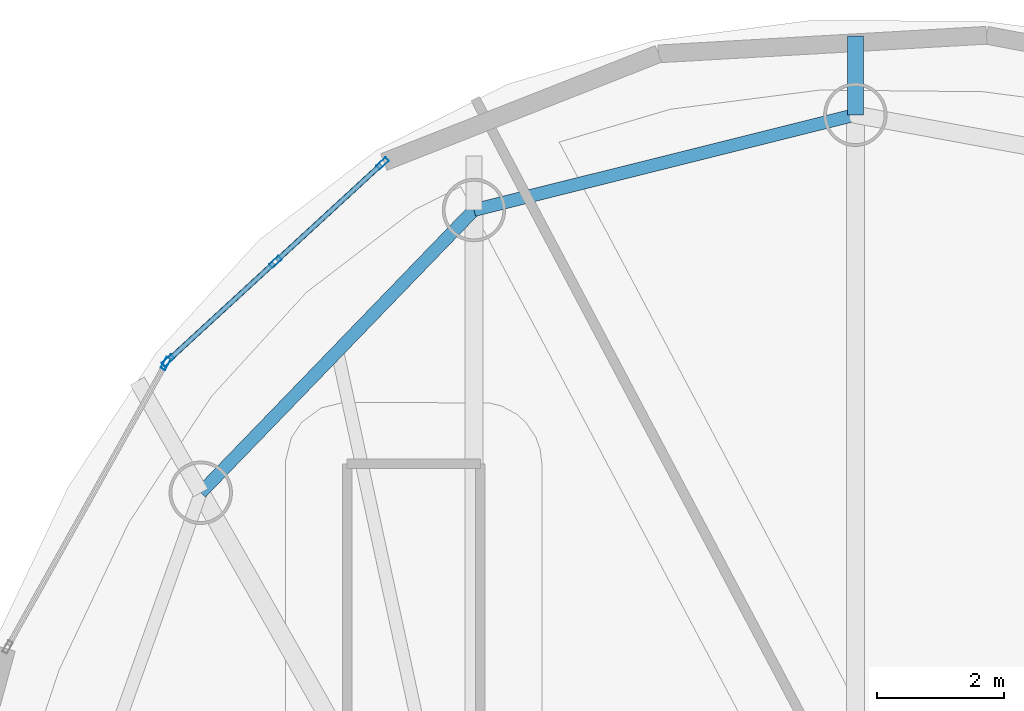
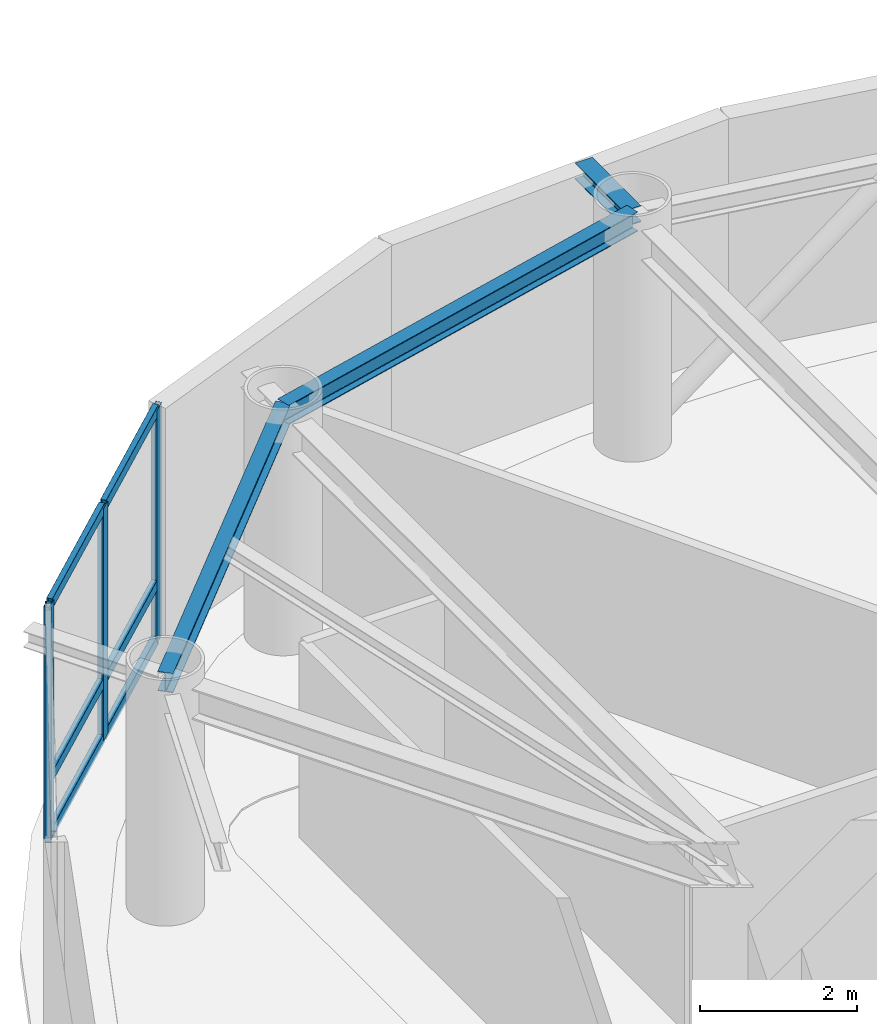
# One storey, part 8 of 17: 10 members, 3 beams, 2 elements without a shape of their own.
"""IFC4 building model written with IfcOpenShell, lengths in metres."""

from ifc_helpers import new_model, si_unit, direction, frame, origin, origin_2d, place, context, subcontext, project, spatial, hollow_rectangle, i_section, extrude, material, layer, layer_set, material_profile, profile_set, type_object, element, aggregate, save


model = new_model("IFC4")

# Units and contexts
model_context = context("Model", 3, precision=1e-05, world=origin(), true_north=direction((0.0, 1.0)))
body_context = subcontext(model_context, "Body", "Model", "MODEL_VIEW")
ifc_project = project(units=[si_unit("LENGTHUNIT", "METRE"), si_unit("AREAUNIT", "SQUARE_METRE"), si_unit("VOLUMEUNIT", "CUBIC_METRE"), si_unit("PLANEANGLEUNIT", "RADIAN"), si_unit("MASSUNIT", "GRAM", prefix="KILO")], contexts=[model_context])

# Site, building, storey
site_placement = place(None, origin())
site = spatial("IfcSite", under=ifc_project, at=site_placement, CompositionType="ELEMENT")
building_placement = place(site_placement, origin())
building = spatial("IfcBuilding", under=site, at=building_placement, Name="Bramvorn Convention Spire", CompositionType="ELEMENT")
storey_placement = place(building_placement, frame((0.0, 0.0, 265.14990234375)))
storey = spatial("IfcBuildingStorey", under=building, at=storey_placement, Name="L67", CompositionType="ELEMENT", Elevation=265.14990234375)

# Beams
ifc_material_1 = material(Name="Steel CSA G40.21 Grade 350 (350W)", Category="steel")
ifc_material_profile_1 = material_profile(ifc_material_1, i_section(OverallWidth=0.25390625, OverallDepth=0.2529296875, WebThickness=0.008544921875, FlangeThickness=0.01416015625, FilletRadius=0.011962890625, at=origin_2d()))
ifc_profile_set_1 = profile_set([ifc_material_profile_1], Name="Steel CSA G40.21 Grade 350 (350W) - W250X73")
beam_type_1 = type_object("IfcBeamType", Name="BM-W250X73", PredefinedType="BEAM", material=ifc_profile_set_1)
beam_placement = place(storey_placement, frame((32.8115234375, 46.90087890625, 3.49853515625), z_axis=(0.0, 1.0, 0.0), x_axis=(-1.0, 0.0, 0.0)))
element("IfcBeam", 1, at=beam_placement, inside=storey, type_object=beam_type_1, Name="L67 slab-edge cantilever tip beam MC08", PredefinedType="BEAM", context=body_context, shape_type="SweptSolid", body=[
    extrude(i_section(OverallWidth=0.25390625, OverallDepth=0.2529296875, WebThickness=0.008544921875, FlangeThickness=0.01416015625, FilletRadius=0.011962890625, at=origin_2d()), origin(), (0.0, 0.0, 1.0), 1.245361328125),
])
ifc_material_profile_2 = material_profile(ifc_material_1, i_section(OverallWidth=0.202880859375, OverallDepth=0.302978515625, WebThickness=0.007568359375, FlangeThickness=0.01318359375, FilletRadius=0.013916015625, at=origin_2d()))
ifc_profile_set_2 = profile_set([ifc_material_profile_2], Name="Steel CSA G40.21 Grade 350 (350W) - W310X60")
beam_type_2 = type_object("IfcBeamType", Name="BM-W310X60", PredefinedType="JOIST", material=ifc_profile_set_2)
for number, where, z_axis, x_axis, name in (
    (2, (32.8115234375, 46.90087890625, 3.4736328125), (-0.970177255997, -0.24239655927, 0.0), (0.24239655927, -0.970177255997, 0.0), "L67 mega-column ring beam 08"),
    (3, (26.800048828125, 45.39892578125, 3.4736328125), (-0.695007159797, -0.719002814898, 0.0), (0.719002814898, -0.695007159797, 0.0), "L67 mega-column ring beam 09"),
):
    element("IfcBeam", number, at=place(storey_placement, frame(where, z_axis=z_axis, x_axis=x_axis)), inside=storey, type_object=beam_type_2, Name=name, PredefinedType="JOIST", context=body_context, shape_type="SweptSolid", body=[
        extrude(i_section(OverallWidth=0.202880859375, OverallDepth=0.302978515625, WebThickness=0.007568359375, FlangeThickness=0.01318359375, FilletRadius=0.013916015625, at=origin_2d()), origin(), (0.0, 0.0, 1.0), 6.1962890625),
    ])

# Curtain wall, members
ifc_material_2 = material(Name="Anodised Bronze Unitised Curtain Wall", Category="aluminium")
ifc_layer = layer(ifc_material_2, 0.179931640625)
ifc_layer_set = layer_set([ifc_layer], Name="Anodised Bronze Unitised Curtain Wall - CW-OFF-FRIT")
curtain_wall_type = type_object("IfcCurtainWallType", Name="CW-OFF-FRIT", PredefinedType="USERDEFINED", material=ifc_layer_set)
curtain_wall_1_placement = place(storey_placement, origin())
curtain_wall_1 = element("IfcCurtainWall", 4, at=curtain_wall_1_placement, inside=storey, type_object=curtain_wall_type, Name="L67 fritted glass curtain wall 13", ObjectType="UNITISED CURTAIN WALL", PredefinedType="USERDEFINED")
ifc_material_3 = material(Name="Anodised Bronze Aluminium 6063-T6", Category="aluminium")
ifc_material_profile_3 = material_profile(ifc_material_3, hollow_rectangle(XDim=0.080078125, YDim=0.199951171875, WallThickness=0.00390625, InnerFilletRadius=0.0009765625, OuterFilletRadius=0.00390625, at=origin_2d()))
ifc_profile_set_3 = profile_set([ifc_material_profile_3], Name="Anodised Bronze Aluminium 6063-T6 - CWM80X200")
member_type_1 = type_object("IfcMemberType", Name="CW-MUL-180", PredefinedType="MULLION", material=ifc_profile_set_3)
member_1_placement = place(storey_placement, frame((21.9794921875, 43.0283203125, 0.0), z_axis=(0.0, 0.0, 1.0), x_axis=(-0.676832903814, 0.736136685891, 0.0)))
member_1 = element("IfcMember", 5, at=member_1_placement, type_object=member_type_1, Name="CW3 mullion 1", PredefinedType="MULLION", context=body_context, shape_type="SweptSolid", body=[
    extrude(hollow_rectangle(XDim=0.080078125, YDim=0.199951171875, WallThickness=0.00390625, InnerFilletRadius=0.0009765625, OuterFilletRadius=0.00390625, at=origin_2d()), origin(), (0.0, 0.0, 1.0), 3.625),
])
member_2_placement = place(storey_placement, frame((23.669189453125, 44.581787109375, 0.0), z_axis=(0.0, 0.0, 1.0), x_axis=(-0.676832903814, 0.736136685891, 0.0)))
member_2 = element("IfcMember", 6, at=member_2_placement, type_object=member_type_1, Name="CW3 mullion 2", PredefinedType="MULLION", context=body_context, shape_type="SweptSolid", body=[
    extrude(hollow_rectangle(XDim=0.080078125, YDim=0.199951171875, WallThickness=0.00390625, InnerFilletRadius=0.0009765625, OuterFilletRadius=0.00390625, at=origin_2d()), origin(), (0.0, 0.0, 1.0), 3.625),
])
member_3_placement = place(storey_placement, frame((25.35888671875, 46.13525390625, 0.0), z_axis=(0.0, 0.0, 1.0), x_axis=(-0.676832903814, 0.736136685891, 0.0)))
member_3 = element("IfcMember", 7, at=member_3_placement, type_object=member_type_1, Name="CW3 mullion 3", PredefinedType="MULLION", context=body_context, shape_type="SweptSolid", body=[
    extrude(hollow_rectangle(XDim=0.080078125, YDim=0.199951171875, WallThickness=0.00390625, InnerFilletRadius=0.0009765625, OuterFilletRadius=0.00390625, at=origin_2d()), origin(), (0.0, 0.0, 1.0), 3.625),
])

# Curtain wall, member
curtain_wall_2_placement = place(storey_placement, origin())
curtain_wall_2 = element("IfcCurtainWall", 8, at=curtain_wall_2_placement, inside=storey, type_object=curtain_wall_type, Name="L67 fritted glass curtain wall 14", ObjectType="UNITISED CURTAIN WALL", PredefinedType="USERDEFINED")
member_4_placement = place(storey_placement, frame((21.94287109375, 42.981689453125, 0.0), z_axis=(0.0, 0.0, 1.0), x_axis=(-0.873385670718, 0.487029229292, 0.0)))
member_4 = element("IfcMember", 9, at=member_4_placement, type_object=member_type_1, Name="CW3 mullion 2", PredefinedType="MULLION", context=body_context, shape_type="SweptSolid", body=[
    extrude(hollow_rectangle(XDim=0.080078125, YDim=0.199951171875, WallThickness=0.00390625, InnerFilletRadius=0.0009765625, OuterFilletRadius=0.00390625, at=origin_2d()), origin(), (0.0, 0.0, 1.0), 3.625),
])
aggregate(curtain_wall_2, [member_4])

# Member
ifc_material_profile_4 = material_profile(ifc_material_3, hollow_rectangle(XDim=0.080078125, YDim=0.159912109375, WallThickness=0.00390625, InnerFilletRadius=0.0009765625, OuterFilletRadius=0.00390625, at=origin_2d()))
ifc_profile_set_4 = profile_set([ifc_material_profile_4], Name="Anodised Bronze Aluminium 6063-T6 - CWT80X160")
member_type_2 = type_object("IfcMemberType", Name="CW-TRN-150", PredefinedType="USERDEFINED", material=ifc_profile_set_4)
member_5_placement = place(storey_placement, frame((22.00146484375, 43.048583984375, 0.030029296875), z_axis=(0.736137774722, 0.676831719578, 0.0), x_axis=(-0.676831719578, 0.736137774722, 0.0)))
member_5 = element("IfcMember", 10, at=member_5_placement, type_object=member_type_2, Name="CW3 transom 1.1", ObjectType="TRANSOM", PredefinedType="USERDEFINED", context=body_context, shape_type="SweptSolid", body=[
    extrude(hollow_rectangle(XDim=0.080078125, YDim=0.159912109375, WallThickness=0.00390625, InnerFilletRadius=0.0009765625, OuterFilletRadius=0.00390625, at=origin_2d()), origin(), (0.0, 0.0, 1.0), 2.2353515625),
])

member_6_placement = place(storey_placement, frame((22.00146484375, 43.048583984375, 0.900146484375), z_axis=(0.736137774722, 0.676831719578, 0.0), x_axis=(-0.676831719578, 0.736137774722, 0.0)))
member_6 = element("IfcMember", 11, at=member_6_placement, type_object=member_type_2, Name="CW3 transom 1.2", ObjectType="TRANSOM", PredefinedType="USERDEFINED", context=body_context, shape_type="SweptSolid", body=[
    extrude(hollow_rectangle(XDim=0.080078125, YDim=0.159912109375, WallThickness=0.00390625, InnerFilletRadius=0.0009765625, OuterFilletRadius=0.00390625, at=origin_2d()), origin(), (0.0, 0.0, 1.0), 2.2353515625),
])

member_7_placement = place(storey_placement, frame((22.00146484375, 43.048583984375, 3.59521484375), z_axis=(0.736137774722, 0.676831719578, 0.0), x_axis=(-0.676831719578, 0.736137774722, 0.0)))
member_7 = element("IfcMember", 12, at=member_7_placement, type_object=member_type_2, Name="CW3 transom 1.3", ObjectType="TRANSOM", PredefinedType="USERDEFINED", context=body_context, shape_type="SweptSolid", body=[
    extrude(hollow_rectangle(XDim=0.080078125, YDim=0.159912109375, WallThickness=0.00390625, InnerFilletRadius=0.0009765625, OuterFilletRadius=0.00390625, at=origin_2d()), origin(), (0.0, 0.0, 1.0), 2.2353515625),
])

member_8_placement = place(storey_placement, frame((23.691162109375, 44.60205078125, 0.030029296875), z_axis=(0.736137774722, 0.676831719578, 0.0), x_axis=(-0.676831719578, 0.736137774722, 0.0)))
member_8 = element("IfcMember", 13, at=member_8_placement, type_object=member_type_2, Name="CW3 transom 2.1", ObjectType="TRANSOM", PredefinedType="USERDEFINED", context=body_context, shape_type="SweptSolid", body=[
    extrude(hollow_rectangle(XDim=0.080078125, YDim=0.159912109375, WallThickness=0.00390625, InnerFilletRadius=0.0009765625, OuterFilletRadius=0.00390625, at=origin_2d()), origin(), (0.0, 0.0, 1.0), 2.2353515625),
])

member_9_placement = place(storey_placement, frame((23.691162109375, 44.60205078125, 0.900146484375), z_axis=(0.736137774722, 0.676831719578, 0.0), x_axis=(-0.676831719578, 0.736137774722, 0.0)))
member_9 = element("IfcMember", 14, at=member_9_placement, type_object=member_type_2, Name="CW3 transom 2.2", ObjectType="TRANSOM", PredefinedType="USERDEFINED", context=body_context, shape_type="SweptSolid", body=[
    extrude(hollow_rectangle(XDim=0.080078125, YDim=0.159912109375, WallThickness=0.00390625, InnerFilletRadius=0.0009765625, OuterFilletRadius=0.00390625, at=origin_2d()), origin(), (0.0, 0.0, 1.0), 2.2353515625),
])

member_10_placement = place(storey_placement, frame((23.691162109375, 44.60205078125, 3.59521484375), z_axis=(0.736137774722, 0.676831719578, 0.0), x_axis=(-0.676831719578, 0.736137774722, 0.0)))
member_10 = element("IfcMember", 15, at=member_10_placement, type_object=member_type_2, Name="CW3 transom 2.3", ObjectType="TRANSOM", PredefinedType="USERDEFINED", context=body_context, shape_type="SweptSolid", body=[
    extrude(hollow_rectangle(XDim=0.080078125, YDim=0.159912109375, WallThickness=0.00390625, InnerFilletRadius=0.0009765625, OuterFilletRadius=0.00390625, at=origin_2d()), origin(), (0.0, 0.0, 1.0), 2.2353515625),
])

aggregate(curtain_wall_1, [member_1, member_2, member_3, member_5, member_6, member_7, member_8, member_9, member_10])

save(model, "model.ifc")
